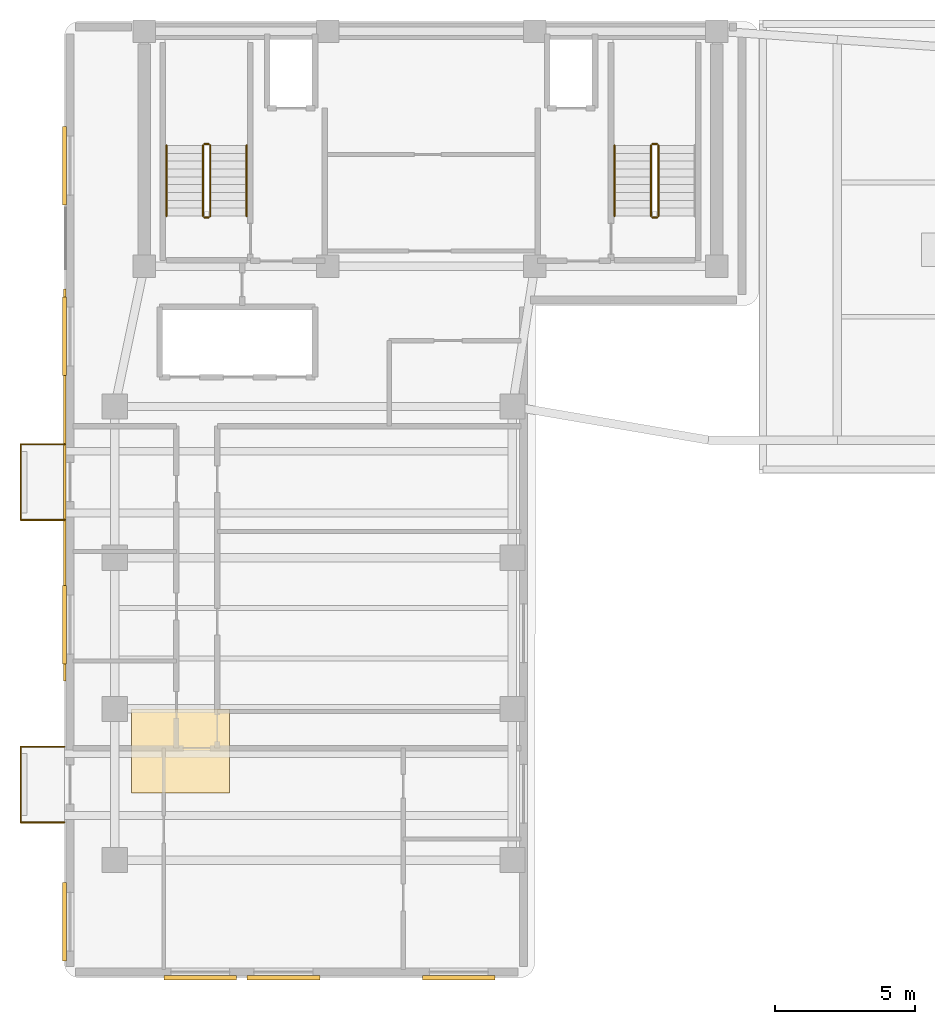
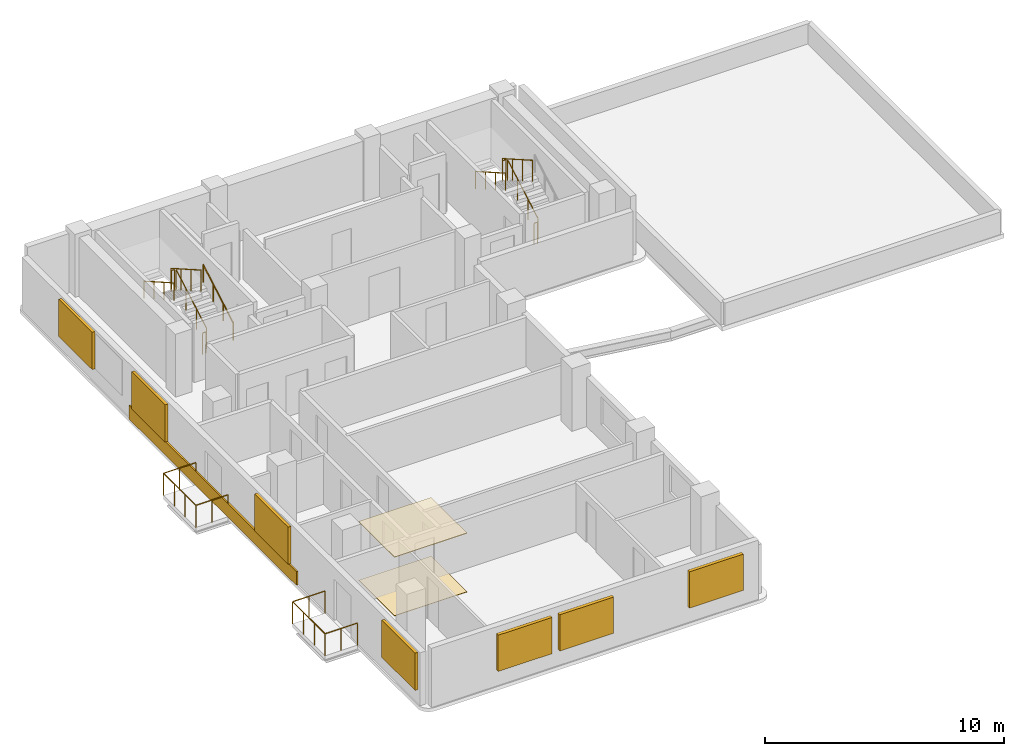
# One storey, part 5 of 6: 17 railings, 7 shading devices, 3 coverings.
"""IFC4 building model written with IfcOpenShell, lengths in metres."""

from ifc_helpers import new_model, si_unit, direction, frame, origin, origin_2d, place, context, subcontext, project, spatial, polyline, rectangle, circle, outline, extrude, material, layer, layer_set, type_object, element, save


model = new_model("IFC4")

# Units and contexts
model_context = context("Model", 3, precision=1e-05, world=origin(), true_north=direction((0.0, 1.0)))
body_context = subcontext(model_context, "Body", "Model", "MODEL_VIEW")
ifc_project = project(units=[si_unit("LENGTHUNIT", "METRE"), si_unit("AREAUNIT", "SQUARE_METRE"), si_unit("VOLUMEUNIT", "CUBIC_METRE"), si_unit("PLANEANGLEUNIT", "RADIAN"), si_unit("MASSUNIT", "GRAM", prefix="KILO")], contexts=[model_context])

# Site, building, storey
site_placement = place(None, origin())
site = spatial("IfcSite", under=ifc_project, at=site_placement, CompositionType="ELEMENT")
building_placement = place(site_placement, origin())
building = spatial("IfcBuilding", under=site, at=building_placement, Name="Kuzgunbayir Cultural Tower", CompositionType="ELEMENT")
storey_placement = place(building_placement, frame((0.0, 0.0, 204.800048828125)))
storey = spatial("IfcBuildingStorey", under=building, at=storey_placement, Name="L60", CompositionType="ELEMENT", Elevation=204.800048828125)

# Coverings
ifc_material_1 = material(Name="Perforated Gypsum Acoustic Tile", Category="gypsum")
ifc_layer_1 = layer(ifc_material_1, 0.02490234375)
ifc_layer_set_1 = layer_set([ifc_layer_1], Name="Perforated Gypsum Acoustic Tile")
covering_type_1 = type_object("IfcCoveringType", Name="COV-CEIL-ACOUSTIC", PredefinedType="CEILING", material=ifc_layer_set_1)
covering_1_placement = place(storey_placement, frame((0.0, 0.0, 2.989990234375)))
element("IfcCovering", 1, at=covering_1_placement, inside=storey, type_object=covering_type_1, Name="L60 Acoustic Soffit Ceiling", PredefinedType="CEILING", context=body_context, shape_type="SweptSolid", body=[
    extrude(outline(polyline([(6.0, 15.0), (9.5, 15.0), (9.5, 18.0), (6.0, 18.0), (6.0, 15.0)])), origin(), (0.0, 0.0, 1.0), 0.030029296875),
])
ifc_material_2 = material(Name="Perforated Bronze-Anodised Aluminium", Category="aluminium")
ifc_layer_2 = layer(ifc_material_2, 0.080078125)
ifc_layer_set_2 = layer_set([ifc_layer_2], Name="Perforated Bronze-Anodised Aluminium")
covering_type_2 = type_object("IfcCoveringType", Name="COV-CLAD-BRONZE-8", PredefinedType="CLADDING", material=ifc_layer_set_2)
covering_2_placement = place(storey_placement, frame((3.610107421875, 26.0, 0.0), z_axis=(0.0, 0.0, 1.0), x_axis=(1.0, 0.0, 0.0)))
element("IfcCovering", 2, at=covering_2_placement, inside=storey, type_object=covering_type_2, Name="L60 Architectural Spandrel Cladding Band", PredefinedType="CLADDING", context=body_context, shape_type="SweptSolid", body=[
    extrude(rectangle(XDim=0.080078125, YDim=14.0, at=origin_2d()), origin(), (0.0, 0.0, 1.0), 0.699951171875),
])
ifc_material_3 = material(Name="Engineered Anatolian Oak Parquet", Category="wood")
ifc_layer_3 = layer(ifc_material_3, 0.02197265625)
ifc_layer_set_3 = layer_set([ifc_layer_3], Name="Engineered Anatolian Oak Parquet")
covering_type_3 = type_object("IfcCoveringType", Name="COV-FLOOR-OAK", PredefinedType="FLOORING", material=ifc_layer_set_3)
covering_3_placement = place(storey_placement, origin())
element("IfcCovering", 3, at=covering_3_placement, inside=storey, type_object=covering_type_3, Name="L60 Acoustic Floor Finish", PredefinedType="FLOORING", context=body_context, shape_type="SweptSolid", body=[
    extrude(outline(polyline([(6.0, 15.0), (9.5, 15.0), (9.5, 18.0), (6.0, 18.0), (6.0, 15.0)])), origin(), (0.0, 0.0, 1.0), 0.02001953125),
])

# Railings
ifc_material_4 = material(Name="Laminated Glass and Stainless Steel", Category="steel")
ifc_layer_4 = layer(ifc_material_4, 0.080078125)
ifc_layer_set_4 = layer_set([ifc_layer_4], Name="Laminated Glass and Stainless Steel")
railing_type_1 = type_object("IfcRailingType", Name="RLG-BAL-115", PredefinedType="BALUSTRADE", material=ifc_layer_set_4)
railing_1_placement = place(storey_placement, frame((3.60009765625, 13.949951171875, 0.0)))
element("IfcRailing", 4, at=railing_1_placement, inside=storey, type_object=railing_type_1, Name="L60 Balcony Guard BAL-L60-WA1 Segment 1", PredefinedType="BALUSTRADE", context=body_context, shape_type="SweptSolid", body=[
    extrude(circle(Radius=0.02392578125, at=origin_2d()), frame((0.0, 0.0, 1.1259765625), z_axis=(-1.0, 0.0, 0.0), x_axis=(0.0, -1.0, 0.0)), (0.0, 0.0, 1.0), 1.56005859375),
    extrude(circle(Radius=0.02099609375, at=origin_2d()), origin(), (0.0, 0.0, 1.0), 1.101806640625),
    extrude(circle(Radius=0.02099609375, at=origin_2d()), frame((-0.780029296875, 0.0, 0.0)), (0.0, 0.0, 1.0), 1.101806640625),
    extrude(circle(Radius=0.02099609375, at=origin_2d()), frame((-1.56005859375, 0.0, 0.0)), (0.0, 0.0, 1.0), 1.101806640625),
])
railing_2_placement = place(storey_placement, frame((2.0400390625, 13.949951171875, 0.0)))
element("IfcRailing", 5, at=railing_2_placement, inside=storey, type_object=railing_type_1, Name="L60 Balcony Guard BAL-L60-WA1 Segment 2", PredefinedType="BALUSTRADE", context=body_context, shape_type="SweptSolid", body=[
    extrude(circle(Radius=0.02392578125, at=origin_2d()), frame((0.0, 0.0, 1.1259765625), z_axis=(0.0, 1.0, 0.0), x_axis=(-1.0, 0.0, 0.0)), (0.0, 0.0, 1.0), 2.699951171875),
    extrude(circle(Radius=0.02099609375, at=origin_2d()), origin(), (0.0, 0.0, 1.0), 1.101806640625),
    extrude(circle(Radius=0.02099609375, at=origin_2d()), frame((0.0, 0.89990234375, 0.0)), (0.0, 0.0, 1.0), 1.101806640625),
    extrude(circle(Radius=0.02099609375, at=origin_2d()), frame((0.0, 1.800048828125, 0.0)), (0.0, 0.0, 1.0), 1.101806640625),
    extrude(circle(Radius=0.02099609375, at=origin_2d()), frame((0.0, 2.699951171875, 0.0)), (0.0, 0.0, 1.0), 1.101806640625),
])
railing_3_placement = place(storey_placement, frame((2.0400390625, 16.64990234375, 0.0)))
element("IfcRailing", 6, at=railing_3_placement, inside=storey, type_object=railing_type_1, Name="L60 Balcony Guard BAL-L60-WA1 Segment 3", PredefinedType="BALUSTRADE", context=body_context, shape_type="SweptSolid", body=[
    extrude(circle(Radius=0.02392578125, at=origin_2d()), frame((0.0, 0.0, 1.1259765625), z_axis=(1.0, 0.0, 0.0), x_axis=(0.0, 1.0, 0.0)), (0.0, 0.0, 1.0), 1.56005859375),
    extrude(circle(Radius=0.02099609375, at=origin_2d()), origin(), (0.0, 0.0, 1.0), 1.101806640625),
    extrude(circle(Radius=0.02099609375, at=origin_2d()), frame((0.780029296875, 0.0, 0.0)), (0.0, 0.0, 1.0), 1.101806640625),
    extrude(circle(Radius=0.02099609375, at=origin_2d()), frame((1.56005859375, 0.0, 0.0)), (0.0, 0.0, 1.0), 1.101806640625),
])
railing_4_placement = place(storey_placement, frame((3.60009765625, 24.75, 0.0)))
element("IfcRailing", 7, at=railing_4_placement, inside=storey, type_object=railing_type_1, Name="L60 Balcony Guard BAL-L60-WA3 Segment 1", PredefinedType="BALUSTRADE", context=body_context, shape_type="SweptSolid", body=[
    extrude(circle(Radius=0.02392578125, at=origin_2d()), frame((0.0, 0.0, 1.1259765625), z_axis=(-1.0, 0.0, 0.0), x_axis=(0.0, -1.0, 0.0)), (0.0, 0.0, 1.0), 1.56005859375),
    extrude(circle(Radius=0.02099609375, at=origin_2d()), origin(), (0.0, 0.0, 1.0), 1.101806640625),
    extrude(circle(Radius=0.02099609375, at=origin_2d()), frame((-0.780029296875, 0.0, 0.0)), (0.0, 0.0, 1.0), 1.101806640625),
    extrude(circle(Radius=0.02099609375, at=origin_2d()), frame((-1.56005859375, 0.0, 0.0)), (0.0, 0.0, 1.0), 1.101806640625),
])
railing_5_placement = place(storey_placement, frame((2.0400390625, 24.75, 0.0)))
element("IfcRailing", 8, at=railing_5_placement, inside=storey, type_object=railing_type_1, Name="L60 Balcony Guard BAL-L60-WA3 Segment 2", PredefinedType="BALUSTRADE", context=body_context, shape_type="SweptSolid", body=[
    extrude(circle(Radius=0.02392578125, at=origin_2d()), frame((0.0, 0.0, 1.1259765625), z_axis=(0.0, 1.0, 0.0), x_axis=(-1.0, 0.0, 0.0)), (0.0, 0.0, 1.0), 2.699951171875),
    extrude(circle(Radius=0.02099609375, at=origin_2d()), origin(), (0.0, 0.0, 1.0), 1.101806640625),
    extrude(circle(Radius=0.02099609375, at=origin_2d()), frame((0.0, 0.89990234375, 0.0)), (0.0, 0.0, 1.0), 1.101806640625),
    extrude(circle(Radius=0.02099609375, at=origin_2d()), frame((0.0, 1.800048828125, 0.0)), (0.0, 0.0, 1.0), 1.101806640625),
    extrude(circle(Radius=0.02099609375, at=origin_2d()), frame((0.0, 2.699951171875, 0.0)), (0.0, 0.0, 1.0), 1.101806640625),
])
railing_6_placement = place(storey_placement, frame((2.0400390625, 27.449951171875, 0.0)))
element("IfcRailing", 9, at=railing_6_placement, inside=storey, type_object=railing_type_1, Name="L60 Balcony Guard BAL-L60-WA3 Segment 3", PredefinedType="BALUSTRADE", context=body_context, shape_type="SweptSolid", body=[
    extrude(circle(Radius=0.02392578125, at=origin_2d()), frame((0.0, 0.0, 1.1259765625), z_axis=(1.0, 0.0, 0.0), x_axis=(0.0, 1.0, 0.0)), (0.0, 0.0, 1.0), 1.56005859375),
    extrude(circle(Radius=0.02099609375, at=origin_2d()), origin(), (0.0, 0.0, 1.0), 1.101806640625),
    extrude(circle(Radius=0.02099609375, at=origin_2d()), frame((0.780029296875, 0.0, 0.0)), (0.0, 0.0, 1.0), 1.101806640625),
    extrude(circle(Radius=0.02099609375, at=origin_2d()), frame((1.56005859375, 0.0, 0.0)), (0.0, 0.0, 1.0), 1.101806640625),
])
ifc_material_5 = material(Name="Brushed Stainless Steel", Category="steel")
ifc_layer_5 = layer(ifc_material_5, 0.050048828125)
ifc_layer_set_5 = layer_set([ifc_layer_5], Name="Brushed Stainless Steel")
railing_type_2 = type_object("IfcRailingType", Name="RLG-STAIR-HANDRAIL", PredefinedType="HANDRAIL", material=ifc_layer_set_5)
railing_7_placement = place(storey_placement, frame((10.110107421875, 35.60009765625, 0.159912109375)))
element("IfcRailing", 10, at=railing_7_placement, inside=storey, type_object=railing_type_2, Name="L60 ST-1 stair handrail 1", PredefinedType="HANDRAIL", context=body_context, shape_type="SweptSolid", body=[
    extrude(circle(Radius=0.02392578125, at=origin_2d()), frame((0.0, 0.0, 0.8759765625), z_axis=(0.0, 0.868253494771, 0.496120820787), x_axis=(-1.0, 0.0, 0.0)), (0.0, 0.0, 1.0), 2.90234375),
    extrude(circle(Radius=0.02099609375, at=origin_2d()), origin(), (0.0, 0.0, 1.0), 0.851806640625),
    extrude(circle(Radius=0.02099609375, at=origin_2d()), frame((0.0, 0.840087890625, 0.47998046875)), (0.0, 0.0, 1.0), 0.851806640625),
    extrude(circle(Radius=0.02099609375, at=origin_2d()), frame((0.0, 1.679931640625, 0.9599609375)), (0.0, 0.0, 1.0), 0.851806640625),
    extrude(circle(Radius=0.02099609375, at=origin_2d()), frame((0.0, 2.52001953125, 1.43994140625)), (0.0, 0.0, 1.0), 0.851806640625),
])
for number, where, name in (
    (11, (7.25, 38.1201171875, 1.760009765625), "L60 ST-1 stair handrail 2"),
    (12, (23.25, 38.1201171875, 1.760009765625), "L60 ST-2 stair handrail 2"),
):
    element("IfcRailing", number, at=place(storey_placement, frame(where)), inside=storey, type_object=railing_type_2, Name=name, PredefinedType="HANDRAIL", context=body_context, shape_type="SweptSolid", body=[
        extrude(circle(Radius=0.02392578125, at=origin_2d()), frame((0.0, 0.0, 0.8759765625), z_axis=(0.0, -0.868253494771, 0.496120820787), x_axis=(1.0, 0.0, 0.0)), (0.0, 0.0, 1.0), 2.90234375),
        extrude(circle(Radius=0.02099609375, at=origin_2d()), origin(), (0.0, 0.0, 1.0), 0.851806640625),
        extrude(circle(Radius=0.02099609375, at=origin_2d()), frame((0.0, -0.840087890625, 0.47998046875)), (0.0, 0.0, 1.0), 0.851806640625),
        extrude(circle(Radius=0.02099609375, at=origin_2d()), frame((0.0, -1.679931640625, 0.9599609375)), (0.0, 0.0, 1.0), 0.851806640625),
        extrude(circle(Radius=0.02099609375, at=origin_2d()), frame((0.0, -2.52001953125, 1.43994140625)), (0.0, 0.0, 1.0), 0.851806640625),
    ])
ifc_material_6 = material(Name="Painted Steel Balustrade", Category="steel")
ifc_layer_6 = layer(ifc_material_6, 0.06005859375)
ifc_layer_set_6 = layer_set([ifc_layer_6], Name="Painted Steel Balustrade")
railing_type_3 = type_object("IfcRailingType", Name="RLG-WELL-GUARD", PredefinedType="GUARDRAIL", material=ifc_layer_set_6)
railing_8_placement = place(storey_placement, frame((8.81005859375, 35.60009765625, 0.159912109375)))
element("IfcRailing", 13, at=railing_8_placement, inside=storey, type_object=railing_type_3, Name="L60 ST-1 stair guard 1", PredefinedType="GUARDRAIL", context=body_context, shape_type="SweptSolid", body=[
    extrude(circle(Radius=0.02392578125, at=origin_2d()), frame((0.0, 0.0, 1.076171875), z_axis=(0.0, 0.868253494771, 0.496120820787), x_axis=(-1.0, 0.0, 0.0)), (0.0, 0.0, 1.0), 2.90234375),
    extrude(circle(Radius=0.02099609375, at=origin_2d()), origin(), (0.0, 0.0, 1.0), 1.052001953125),
    extrude(circle(Radius=0.02099609375, at=origin_2d()), frame((0.0, 0.840087890625, 0.47998046875)), (0.0, 0.0, 1.0), 1.052001953125),
    extrude(circle(Radius=0.02099609375, at=origin_2d()), frame((0.0, 1.679931640625, 0.9599609375)), (0.0, 0.0, 1.0), 1.052001953125),
    extrude(circle(Radius=0.02099609375, at=origin_2d()), frame((0.0, 2.52001953125, 1.43994140625)), (0.0, 0.0, 1.0), 1.052001953125),
])
railing_9_placement = place(storey_placement, frame((8.760009765625, 38.169921875, 1.599853515625)))
element("IfcRailing", 14, at=railing_9_placement, inside=storey, type_object=railing_type_3, Name="L60 ST-1 stair guard 2", PredefinedType="GUARDRAIL", context=body_context, shape_type="SweptSolid", body=[
    extrude(circle(Radius=0.02392578125, at=origin_2d()), frame((0.0, 0.0, 1.076171875), z_axis=(-1.0, 0.0, 0.0), x_axis=(0.0, -1.0, 0.0)), (0.0, 0.0, 1.0), 0.159912109375),
    extrude(circle(Radius=0.02099609375, at=origin_2d()), origin(), (0.0, 0.0, 1.0), 1.052001953125),
    extrude(circle(Radius=0.02099609375, at=origin_2d()), frame((-0.159912109375, 0.0, 0.0)), (0.0, 0.0, 1.0), 1.052001953125),
])
railing_10_placement = place(storey_placement, frame((8.550048828125, 38.1201171875, 1.760009765625)))
element("IfcRailing", 15, at=railing_10_placement, inside=storey, type_object=railing_type_3, Name="L60 ST-1 stair guard 3", PredefinedType="GUARDRAIL", context=body_context, shape_type="SweptSolid", body=[
    extrude(circle(Radius=0.02392578125, at=origin_2d()), frame((0.0, 0.0, 1.076171875), z_axis=(0.0, -0.868253494771, 0.496120820787), x_axis=(1.0, 0.0, 0.0)), (0.0, 0.0, 1.0), 2.90234375),
    extrude(circle(Radius=0.02099609375, at=origin_2d()), origin(), (0.0, 0.0, 1.0), 1.052001953125),
    extrude(circle(Radius=0.02099609375, at=origin_2d()), frame((0.0, -0.840087890625, 0.47998046875)), (0.0, 0.0, 1.0), 1.052001953125),
    extrude(circle(Radius=0.02099609375, at=origin_2d()), frame((0.0, -1.679931640625, 0.9599609375)), (0.0, 0.0, 1.0), 1.052001953125),
    extrude(circle(Radius=0.02099609375, at=origin_2d()), frame((0.0, -2.52001953125, 1.43994140625)), (0.0, 0.0, 1.0), 1.052001953125),
])
railing_11_placement = place(storey_placement, frame((8.760009765625, 35.550048828125, 0.0)))
element("IfcRailing", 16, at=railing_11_placement, inside=storey, type_object=railing_type_3, Name="L60 ST-1 stair guard 4", PredefinedType="GUARDRAIL", context=body_context, shape_type="SweptSolid", body=[
    extrude(circle(Radius=0.02392578125, at=origin_2d()), frame((0.0, 0.0, 1.076171875), z_axis=(-1.0, 0.0, 0.0), x_axis=(0.0, -1.0, 0.0)), (0.0, 0.0, 1.0), 0.159912109375),
    extrude(circle(Radius=0.02099609375, at=origin_2d()), origin(), (0.0, 0.0, 1.0), 1.052001953125),
    extrude(circle(Radius=0.02099609375, at=origin_2d()), frame((-0.159912109375, 0.0, 0.0)), (0.0, 0.0, 1.0), 1.052001953125),
])
railing_12_placement = place(storey_placement, frame((24.81005859375, 35.60009765625, 0.159912109375)))
element("IfcRailing", 17, at=railing_12_placement, inside=storey, type_object=railing_type_3, Name="L60 ST-2 stair guard 1", PredefinedType="GUARDRAIL", context=body_context, shape_type="SweptSolid", body=[
    extrude(circle(Radius=0.02392578125, at=origin_2d()), frame((0.0, 0.0, 1.076171875), z_axis=(0.0, 0.868253494771, 0.496120820787), x_axis=(-1.0, 0.0, 0.0)), (0.0, 0.0, 1.0), 2.90234375),
    extrude(circle(Radius=0.02099609375, at=origin_2d()), origin(), (0.0, 0.0, 1.0), 1.052001953125),
    extrude(circle(Radius=0.02099609375, at=origin_2d()), frame((0.0, 0.840087890625, 0.47998046875)), (0.0, 0.0, 1.0), 1.052001953125),
    extrude(circle(Radius=0.02099609375, at=origin_2d()), frame((0.0, 1.679931640625, 0.9599609375)), (0.0, 0.0, 1.0), 1.052001953125),
    extrude(circle(Radius=0.02099609375, at=origin_2d()), frame((0.0, 2.52001953125, 1.43994140625)), (0.0, 0.0, 1.0), 1.052001953125),
])
railing_13_placement = place(storey_placement, frame((24.760009765625, 38.169921875, 1.599853515625)))
element("IfcRailing", 18, at=railing_13_placement, inside=storey, type_object=railing_type_3, Name="L60 ST-2 stair guard 2", PredefinedType="GUARDRAIL", context=body_context, shape_type="SweptSolid", body=[
    extrude(circle(Radius=0.02392578125, at=origin_2d()), frame((0.0, 0.0, 1.076171875), z_axis=(-1.0, 0.0, 0.0), x_axis=(0.0, -1.0, 0.0)), (0.0, 0.0, 1.0), 0.159912109375),
    extrude(circle(Radius=0.02099609375, at=origin_2d()), origin(), (0.0, 0.0, 1.0), 1.052001953125),
    extrude(circle(Radius=0.02099609375, at=origin_2d()), frame((-0.159912109375, 0.0, 0.0)), (0.0, 0.0, 1.0), 1.052001953125),
])
railing_14_placement = place(storey_placement, frame((24.550048828125, 38.1201171875, 1.760009765625)))
element("IfcRailing", 19, at=railing_14_placement, inside=storey, type_object=railing_type_3, Name="L60 ST-2 stair guard 3", PredefinedType="GUARDRAIL", context=body_context, shape_type="SweptSolid", body=[
    extrude(circle(Radius=0.02392578125, at=origin_2d()), frame((0.0, 0.0, 1.076171875), z_axis=(0.0, -0.868253494771, 0.496120820787), x_axis=(1.0, 0.0, 0.0)), (0.0, 0.0, 1.0), 2.90234375),
    extrude(circle(Radius=0.02099609375, at=origin_2d()), origin(), (0.0, 0.0, 1.0), 1.052001953125),
    extrude(circle(Radius=0.02099609375, at=origin_2d()), frame((0.0, -0.840087890625, 0.47998046875)), (0.0, 0.0, 1.0), 1.052001953125),
    extrude(circle(Radius=0.02099609375, at=origin_2d()), frame((0.0, -1.679931640625, 0.9599609375)), (0.0, 0.0, 1.0), 1.052001953125),
    extrude(circle(Radius=0.02099609375, at=origin_2d()), frame((0.0, -2.52001953125, 1.43994140625)), (0.0, 0.0, 1.0), 1.052001953125),
])
railing_15_placement = place(storey_placement, frame((24.760009765625, 35.550048828125, 0.0)))
element("IfcRailing", 20, at=railing_15_placement, inside=storey, type_object=railing_type_3, Name="L60 ST-2 stair guard 4", PredefinedType="GUARDRAIL", context=body_context, shape_type="SweptSolid", body=[
    extrude(circle(Radius=0.02392578125, at=origin_2d()), frame((0.0, 0.0, 1.076171875), z_axis=(-1.0, 0.0, 0.0), x_axis=(0.0, -1.0, 0.0)), (0.0, 0.0, 1.0), 0.159912109375),
    extrude(circle(Radius=0.02099609375, at=origin_2d()), origin(), (0.0, 0.0, 1.0), 1.052001953125),
    extrude(circle(Radius=0.02099609375, at=origin_2d()), frame((-0.159912109375, 0.0, 0.0)), (0.0, 0.0, 1.0), 1.052001953125),
])

# Shading devices
shading_device_type_1 = type_object("IfcShadingDeviceType", Name="SHD-SOLAR-BRONZE", PredefinedType="JALOUSIE", material=ifc_material_2)
for number, where, z_axis, x_axis, name in (
    (21, (3.60009765625, 10.39990234375, 0.7099609375), (0.0, 0.0, 1.0), (1.0, 0.0, 0.0), "L60 Perforated Bronze Solar Screen WAW4"),
    (22, (3.60009765625, 21.010009765625, 0.7099609375), (0.0, 0.0, 1.0), (1.0, 0.0, 0.0), "L60 Perforated Bronze Solar Screen WAW5"),
    (23, (3.60009765625, 31.300048828125, 0.7099609375), (0.0, 0.0, 1.0), (1.0, 0.0, 0.0), "L60 Perforated Bronze Solar Screen WAW6"),
    (24, (3.60009765625, 37.39990234375, 0.7099609375), (0.0, 0.0, 1.0), (1.0, 0.0, 0.0), "L60 Perforated Bronze Solar Screen WAW7"),
):
    element("IfcShadingDevice", number, at=place(storey_placement, frame(where, z_axis=z_axis, x_axis=x_axis)), inside=storey, type_object=shading_device_type_1, Name=name, PredefinedType="JALOUSIE", context=body_context, shape_type="SweptSolid", body=[
        extrude(rectangle(XDim=0.139892578125, YDim=2.800048828125, at=origin_2d()), origin(), (0.0, 0.0, 1.0), 1.89990234375),
    ])
ifc_material_7 = material(Name="Warm Terracotta Ceramic Baguette", Category="masonry")
shading_device_type_2 = type_object("IfcShadingDeviceType", Name="SHD-SOLAR-CERAMIC", PredefinedType="SHUTTER", material=ifc_material_7)
for number, where, z_axis, x_axis, name in (
    (25, (11.419921875, 8.39990234375, 0.824951171875), (0.0, 0.0, 1.0), (1.0, 0.0, 0.0), "L60 Solar Screen WAS1"),
    (26, (17.679931640625, 8.39990234375, 0.824951171875), (0.0, 0.0, 1.0), (1.0, 0.0, 0.0), "L60 Solar Screen WAS2"),
    (27, (8.449951171875, 8.39990234375, 0.824951171875), (0.0, 0.0, 1.0), (1.0, 0.0, 0.0), "L60 Solar Screen WAS9"),
):
    element("IfcShadingDevice", number, at=place(storey_placement, frame(where, z_axis=z_axis, x_axis=x_axis)), inside=storey, type_object=shading_device_type_2, Name=name, PredefinedType="SHUTTER", context=body_context, shape_type="SweptSolid", body=[
        extrude(rectangle(XDim=2.60009765625, YDim=0.159912109375, at=origin_2d()), origin(), (0.0, 0.0, 1.0), 1.85009765625),
    ])

save(model, "model.ifc")
